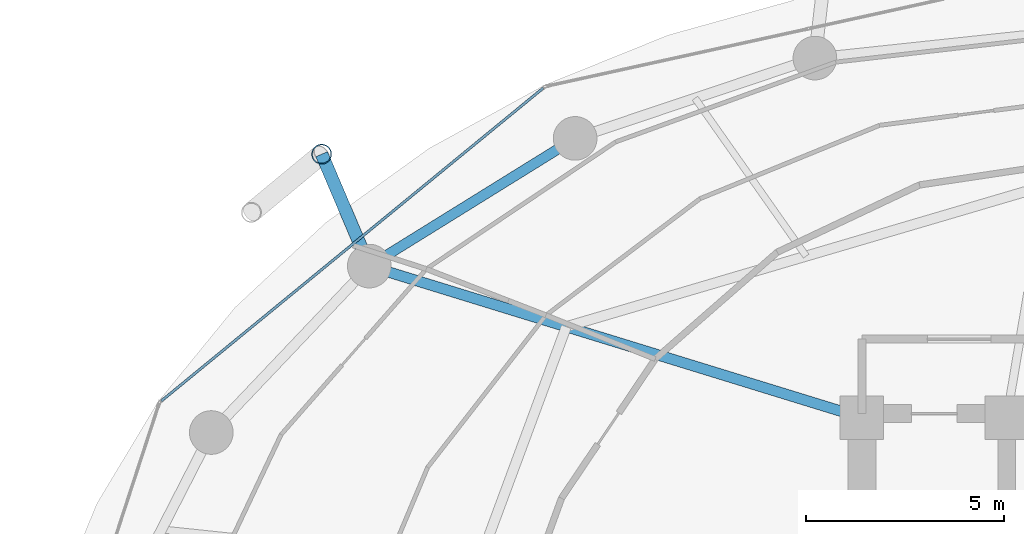
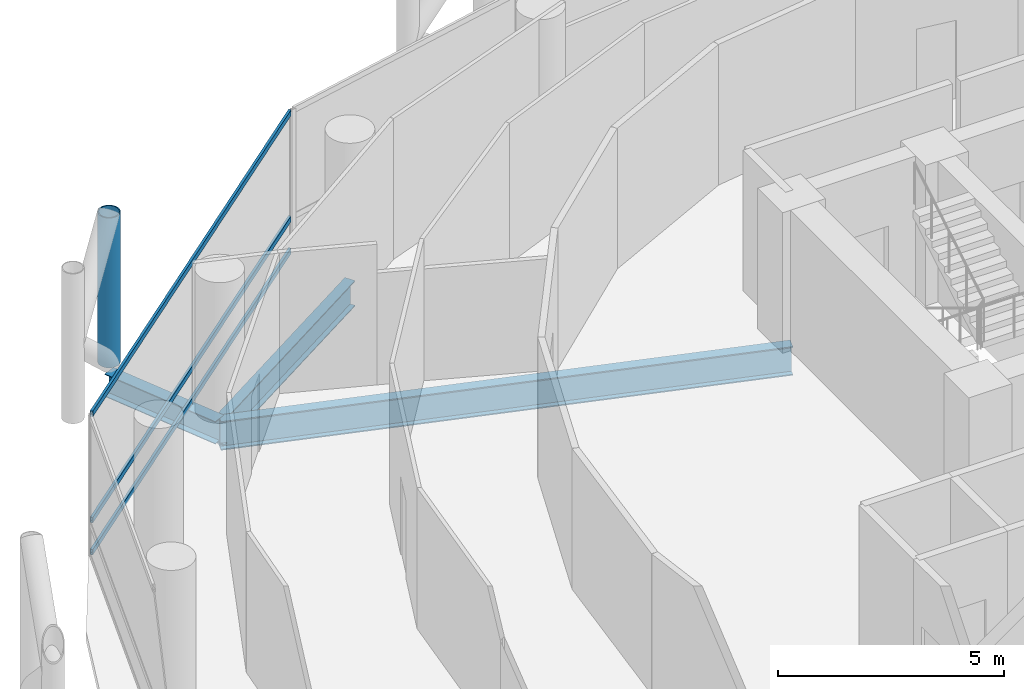
# One storey, part 14 of 26: 4 members, 3 beams, 1 element without a shape of its own.
"""IFC4 building model written with IfcOpenShell, lengths in metres."""

from ifc_helpers import new_model, si_unit, direction, frame, origin, origin_2d, place, context, subcontext, project, spatial, hollow_rectangle, hollow_circle, i_section, extrude, material, layer, layer_set, material_profile, profile_set, type_object, element, aggregate, save


model = new_model("IFC4")

# Units and contexts
model_context = context("Model", 3, precision=1e-05, world=origin(), true_north=direction((0.0, 1.0)))
body_context = subcontext(model_context, "Body", "Model", "MODEL_VIEW")
ifc_project = project(units=[si_unit("LENGTHUNIT", "METRE"), si_unit("AREAUNIT", "SQUARE_METRE"), si_unit("VOLUMEUNIT", "CUBIC_METRE"), si_unit("PLANEANGLEUNIT", "RADIAN"), si_unit("MASSUNIT", "GRAM", prefix="KILO")], contexts=[model_context])

# Site, building, storey
site_placement = place(None, origin())
site = spatial("IfcSite", under=ifc_project, at=site_placement, CompositionType="ELEMENT")
building_placement = place(site_placement, origin())
building = spatial("IfcBuilding", under=site, at=building_placement, Name="Nuhasar Tower", CompositionType="ELEMENT")
storey_placement = place(building_placement, frame((0.0, 0.0, 97.949951171875)))
storey = spatial("IfcBuildingStorey", under=building, at=storey_placement, Name="L23", CompositionType="ELEMENT", Elevation=97.949951171875)

# Beams
ifc_material_1 = material(Name="Steel S355", Category="steel")
ifc_material_profile_1 = material_profile(ifc_material_1, i_section(OverallWidth=0.26611328125, OverallDepth=0.779052734375, WebThickness=0.0166015625, FlangeThickness=0.030029296875, at=origin_2d()), Name="W30X148")
ifc_profile_set_1 = profile_set([ifc_material_profile_1], Name="Steel S355")
beam_type_1 = type_object("IfcBeamType", Name="BM-RAD-W30X148", PredefinedType="BEAM", material=ifc_profile_set_1)
beam_1_placement = place(storey_placement, frame((33.699951171875, 37.300048828125, -0.638916015625), z_axis=(-0.955789576103, 0.294051502653, 0.0), x_axis=(-0.294051502653, -0.955789576103, 0.0)))
element("IfcBeam", 1, at=beam_1_placement, inside=storey, type_object=beam_type_1, Name="L23 Radial Floor Girder 07", PredefinedType="BEAM", context=body_context, shape_type="SweptSolid", body=[
    extrude(i_section(OverallWidth=0.26611328125, OverallDepth=0.779052734375, WebThickness=0.0166015625, FlangeThickness=0.030029296875, at=origin_2d()), origin(), (0.0, 0.0, 1.0), 12.987060546875),
])
ifc_material_profile_2 = material_profile(ifc_material_1, i_section(OverallWidth=0.256103515625, OverallDepth=0.693115234375, WebThickness=0.014404296875, FlangeThickness=0.023681640625, at=origin_2d()), Name="W27X114")
ifc_profile_set_2 = profile_set([ifc_material_profile_2], Name="Steel S355")
beam_type_2 = type_object("IfcBeamType", Name="BM-RING-W27X114", PredefinedType="SPANDREL", material=ifc_profile_set_2)
beam_2_placement = place(storey_placement, frame((26.47509765625, 44.3369140625, -0.596923828125), z_axis=(-0.849795216549, -0.527112976439, 0.0), x_axis=(0.527112976439, -0.849795216549, 0.0)))
element("IfcBeam", 2, at=beam_2_placement, inside=storey, type_object=beam_type_2, Name="L23 Perimeter Ring Spandrel 09", PredefinedType="SPANDREL", context=body_context, shape_type="SweptSolid", body=[
    extrude(i_section(OverallWidth=0.256103515625, OverallDepth=0.693115234375, WebThickness=0.014404296875, FlangeThickness=0.023681640625, at=origin_2d()), origin(), (0.0, 0.0, 1.0), 6.10498046875),
])
ifc_material_profile_3 = material_profile(ifc_material_1, i_section(OverallWidth=0.323974609375, OverallDepth=0.611083984375, WebThickness=0.0126953125, FlangeThickness=0.01904296875, at=origin_2d()), Name="W24X104")
ifc_profile_set_3 = profile_set([ifc_material_profile_3], Name="Steel S355")
beam_type_3 = type_object("IfcBeamType", Name="BM-TIE-W24X104", PredefinedType="BEAM", material=ifc_profile_set_3)
beam_3_placement = place(storey_placement, frame((21.287109375, 41.118896484375, -0.554931640625), z_axis=(-0.391601084021, 0.920135093882, 0.0), x_axis=(-0.920135093882, -0.391601084021, 0.0)))
element("IfcBeam", 3, at=beam_3_placement, inside=storey, type_object=beam_type_3, Name="L23 Exoskeleton Node Tie Beam 05", PredefinedType="BEAM", context=body_context, shape_type="SweptSolid", body=[
    extrude(i_section(OverallWidth=0.323974609375, OverallDepth=0.611083984375, WebThickness=0.0126953125, FlangeThickness=0.01904296875, at=origin_2d()), origin(), (0.0, 0.0, 1.0), 3.06494140625),
])

# Curtain wall, members
ifc_material_2 = material(Name="Aluminium 6063-T6", Category="aluminium")
ifc_layer = layer(ifc_material_2, 0.199951171875)
ifc_layer_set = layer_set([ifc_layer], Name="Aluminium 6063-T6")
curtain_wall_type = type_object("IfcCurtainWallType", Name="CW-Z1-OFF", PredefinedType="NOTDEFINED", material=ifc_layer_set)
curtain_wall_placement = place(storey_placement, origin())
curtain_wall = element("IfcCurtainWall", 4, at=curtain_wall_placement, inside=storey, type_object=curtain_wall_type, Name="L23 Unitised Curtain Wall 05", PredefinedType="NOTDEFINED")
ifc_material_profile_4 = material_profile(ifc_material_2, hollow_rectangle(XDim=0.06494140625, YDim=0.14990234375, WallThickness=0.00439453125, at=origin_2d()), Name="CWT-2")
ifc_profile_set_4 = profile_set([ifc_material_profile_4], Name="Aluminium 6063-T6")
member_type_1 = type_object("IfcMemberType", Name="CW-TRN-S2", PredefinedType="USERDEFINED", material=ifc_profile_set_4)
member_1_placement = place(storey_placement, frame((25.669677734375, 45.603759765625, 0.032470703125), z_axis=(-0.773540851599, -0.633746440548, 0.0), x_axis=(0.633746440548, -0.773540851599, 0.0)))
member_1 = element("IfcMember", 5, at=member_1_placement, type_object=member_type_1, Name="CW-Z1 transom 1.1", ObjectType="TRANSOM", PredefinedType="USERDEFINED", context=body_context, shape_type="SweptSolid", body=[
    extrude(hollow_rectangle(XDim=0.06494140625, YDim=0.14990234375, WallThickness=0.00439453125, at=origin_2d()), origin(), (0.0, 0.0, 1.0), 12.43798828125),
])
member_2_placement = place(storey_placement, frame((25.669677734375, 45.603759765625, 0.900146484375), z_axis=(-0.773540851599, -0.633746440548, 0.0), x_axis=(0.633746440548, -0.773540851599, 0.0)))
member_2 = element("IfcMember", 6, at=member_2_placement, type_object=member_type_1, Name="CW-Z1 transom 1.2", ObjectType="TRANSOM", PredefinedType="USERDEFINED", context=body_context, shape_type="SweptSolid", body=[
    extrude(hollow_rectangle(XDim=0.06494140625, YDim=0.14990234375, WallThickness=0.00439453125, at=origin_2d()), origin(), (0.0, 0.0, 1.0), 12.43798828125),
])
member_3_placement = place(storey_placement, frame((25.669677734375, 45.603759765625, 3.767578125), z_axis=(-0.773540851599, -0.633746440548, 0.0), x_axis=(0.633746440548, -0.773540851599, 0.0)))
member_3 = element("IfcMember", 7, at=member_3_placement, type_object=member_type_1, Name="CW-Z1 transom 1.3", ObjectType="TRANSOM", PredefinedType="USERDEFINED", context=body_context, shape_type="SweptSolid", body=[
    extrude(hollow_rectangle(XDim=0.06494140625, YDim=0.14990234375, WallThickness=0.00439453125, at=origin_2d()), origin(), (0.0, 0.0, 1.0), 12.43798828125),
])
aggregate(curtain_wall, [member_1, member_2, member_3])

# Member
ifc_material_3 = material(Name="Steel S460", Category="steel")
ifc_material_profile_5 = material_profile(ifc_material_3, hollow_circle(Radius=0.25390625, WallThickness=0.025390625, at=origin_2d()), Name="HSS508X25.4")
ifc_profile_set_5 = profile_set([ifc_material_profile_5], Name="Steel S460")
member_type_2 = type_object("IfcMemberType", Name="EXO-BRONZE-508", PredefinedType="BRACE", material=ifc_profile_set_5)
member_4_placement = place(storey_placement, frame((20.0869140625, 43.93896484375, 0.0), z_axis=(0.0, 0.0, 1.0), x_axis=(1.0, 0.0, 0.0)))
element("IfcMember", 8, at=member_4_placement, inside=storey, type_object=member_type_2, Name="L23 Exoskeleton Chord Column EC-05A", PredefinedType="BRACE", context=body_context, shape_type="SweptSolid", body=[
    extrude(hollow_circle(Radius=0.25390625, WallThickness=0.025390625, at=origin_2d()), origin(), (0.0, 0.0, 1.0), 4.050048828125),
])

save(model, "model.ifc")
